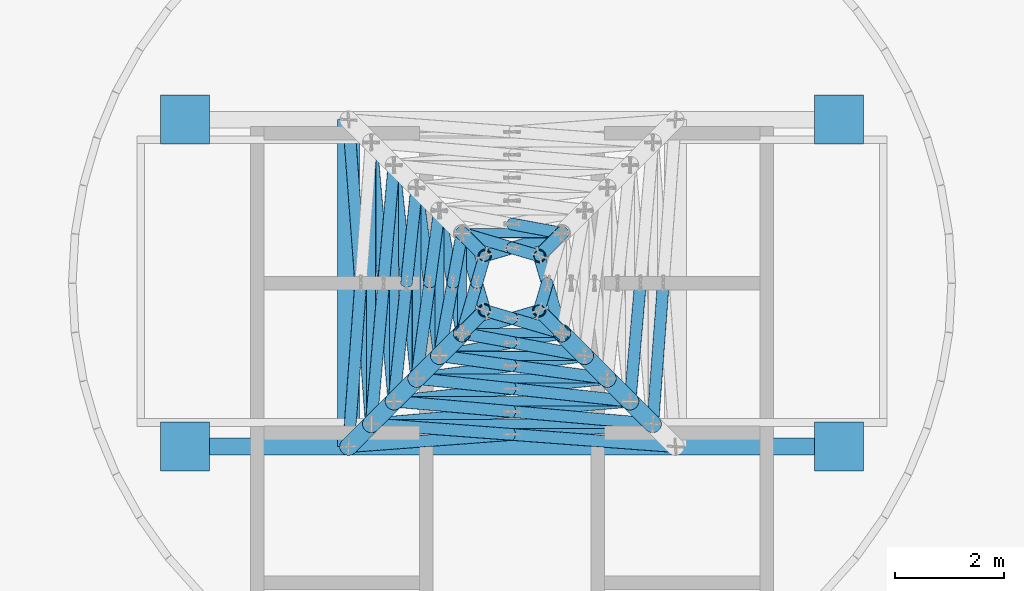
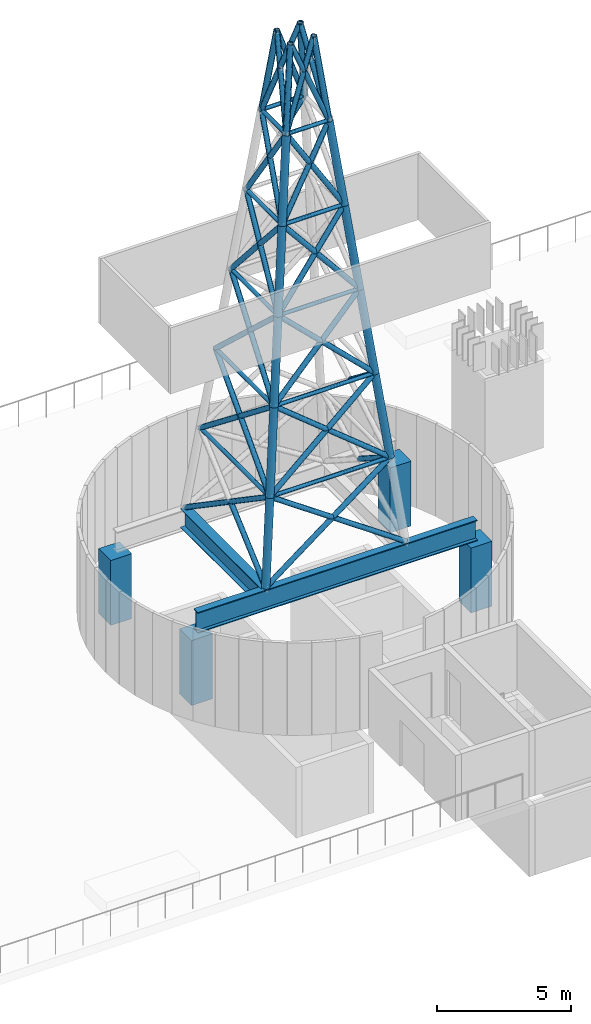
# One storey, part 1 of 8: 67 members, 4 columns, 2 beams.
"""IFC4 building model written with IfcOpenShell, lengths in metres."""

from ifc_helpers import new_model, si_unit, direction, frame, origin, origin_2d, place, context, subcontext, project, spatial, rectangle, hollow_circle, i_section, extrude, material, material_profile, profile_set, type_object, element, save


model = new_model("IFC4")

# Units and contexts
model_context = context("Model", 3, precision=1e-05, world=origin(), true_north=direction((0.0, 1.0)))
body_context = subcontext(model_context, "Body", "Model", "MODEL_VIEW")
ifc_project = project(units=[si_unit("LENGTHUNIT", "METRE"), si_unit("AREAUNIT", "SQUARE_METRE"), si_unit("VOLUMEUNIT", "CUBIC_METRE"), si_unit("PLANEANGLEUNIT", "RADIAN"), si_unit("MASSUNIT", "GRAM", prefix="KILO")], contexts=[model_context])

# Site, building, storey
site_placement = place(None, origin())
site = spatial("IfcSite", under=ifc_project, at=site_placement, CompositionType="ELEMENT")
building_placement = place(site_placement, origin())
building = spatial("IfcBuilding", under=site, at=building_placement, Name="Mahtab Terrace Research Tower", CompositionType="ELEMENT")
storey_placement = place(building_placement, frame((0.0, 0.0, 289.699951171875)))
storey = spatial("IfcBuildingStorey", under=building, at=storey_placement, Name="L70", CompositionType="ELEMENT", Elevation=289.699951171875)

# Columns
ifc_material_1 = material(Name="Concrete C70/85", Category="concrete")
ifc_material_profile_1 = material_profile(ifc_material_1, rectangle(XDim=0.89990234375, YDim=0.89990234375, at=origin_2d()), Name="RC column 900x900")
ifc_profile_set_1 = profile_set([ifc_material_profile_1], Name="Concrete C70/85")
column_type = type_object("IfcColumnType", Name="RC column 900x900", PredefinedType="COLUMN", material=ifc_profile_set_1)
for number, where, z_axis, x_axis, name in (
    (1, (-6.0, 2.75, 0.010009765625), (0.0, 0.0, 1.0), (1.0, 0.0, 0.0), "Column RC-D1 L70"),
    (2, (6.0, 2.75, 0.010009765625), (0.0, 0.0, 1.0), (1.0, 0.0, 0.0), "Column RC-D2 L70"),
    (3, (-6.0, 8.75, 0.010009765625), (0.0, 0.0, 1.0), (1.0, 0.0, 0.0), "Column RC-D3 L70"),
    (4, (6.0, 8.75, 0.010009765625), (0.0, 0.0, 1.0), (1.0, 0.0, 0.0), "Column RC-D4 L70"),
):
    element("IfcColumn", number, at=place(storey_placement, frame(where, z_axis=z_axis, x_axis=x_axis)), inside=storey, type_object=column_type, Name=name, PredefinedType="COLUMN", context=body_context, shape_type="SweptSolid", body=[
        extrude(rectangle(XDim=0.89990234375, YDim=0.89990234375, at=origin_2d()), origin(), (0.0, 0.0, 1.0), 2.947998046875),
    ])

# Members
ifc_material_2 = material(Name="Steel ASTM A500 Gr C", Category="steel")
ifc_material_profile_2 = material_profile(ifc_material_2, hollow_circle(Radius=0.126953125, WallThickness=0.0126953125, at=origin_2d()), Name="HSS10.000X0.500")
ifc_profile_set_2 = profile_set([ifc_material_profile_2], Name="Steel ASTM A500 Gr C")
member_type_1 = type_object("IfcMemberType", Name="HSS 10.000x0.500 mast leg ML10", PredefinedType="CHORD", material=ifc_profile_set_2)
for number, where, z_axis, x_axis, name in (
    (5, (-0.916748046875, 4.833251953125, 22.4833984375), (0.110749066459, 0.110749066459, 0.987658487817), (-0.707106781187, 0.707106781187, 0.0), "Mast leg 1 panel 6"),
    (6, (0.916748046875, 4.833251953125, 22.4833984375), (-0.110749066459, 0.110749066459, 0.987658487817), (-0.707106781187, -0.707106781187, 0.0), "Mast leg 2 panel 6"),
    (7, (0.916748046875, 6.666748046875, 22.4833984375), (-0.110749066459, -0.110749066459, 0.987658487817), (0.707106781187, -0.707106781187, 0.0), "Mast leg 3 panel 6"),
    (8, (-0.916748046875, 6.666748046875, 22.4833984375), (0.110749066459, -0.110749066459, 0.987658487817), (0.707106781187, 0.707106781187, 0.0), "Mast leg 4 panel 6"),
):
    element("IfcMember", number, at=place(storey_placement, frame(where, z_axis=z_axis, x_axis=x_axis)), inside=storey, type_object=member_type_1, Name=name, PredefinedType="CHORD", context=body_context, shape_type="SweptSolid", body=[
        extrude(hollow_circle(Radius=0.126953125, WallThickness=0.0126953125, at=origin_2d()), origin(), (0.0, 0.0, 1.0), 3.762939453125),
    ])
ifc_material_profile_3 = material_profile(ifc_material_2, hollow_circle(Radius=0.161865234375, WallThickness=0.0126953125, at=origin_2d()), Name="HSS12.750X0.500")
ifc_profile_set_3 = profile_set([ifc_material_profile_3], Name="Steel ASTM A500 Gr C")
member_type_2 = type_object("IfcMemberType", Name="HSS 12.750x0.500 mast leg ML12", PredefinedType="CHORD", material=ifc_profile_set_3)
member_1_placement = place(storey_placement, frame((-3.0, 2.75, 3.900146484375), z_axis=(0.110749066459, 0.110749066459, 0.987658487817), x_axis=(-0.707106781187, 0.707106781187, 0.0)))
element("IfcMember", 9, at=member_1_placement, inside=storey, type_object=member_type_2, Name="Mast leg 1 panel 1", PredefinedType="CHORD", context=body_context, shape_type="SweptSolid", body=[
    extrude(hollow_circle(Radius=0.161865234375, WallThickness=0.0126953125, at=origin_2d()), origin(), (0.0, 0.0, 1.0), 3.762939453125),
])
for number, where, z_axis, x_axis, name in (
    (10, (-2.583251953125, 3.166748046875, 7.61669921875), (0.110678684922, 0.110678684922, 0.987674266855), (-0.707106781187, 0.707106781187, 0.0), "Mast leg 1 panel 2"),
    (11, (2.583251953125, 3.166748046875, 7.61669921875), (-0.110678684922, 0.110678684922, 0.987674266855), (-0.707106781187, -0.707106781187, 0.0), "Mast leg 2 panel 2"),
):
    element("IfcMember", number, at=place(storey_placement, frame(where, z_axis=z_axis, x_axis=x_axis)), inside=storey, type_object=member_type_2, Name=name, PredefinedType="CHORD", context=body_context, shape_type="SweptSolid", body=[
        extrude(hollow_circle(Radius=0.161865234375, WallThickness=0.0126953125, at=origin_2d()), origin(), (0.0, 0.0, 1.0), 3.76318359375),
    ])
for number, where, z_axis, x_axis, name in (
    (12, (-2.166748046875, 3.583251953125, 11.33349609375), (0.110749066459, 0.110749066459, 0.987658487817), (-0.707106781187, 0.707106781187, 0.0), "Mast leg 1 panel 3"),
    (13, (2.166748046875, 3.583251953125, 11.33349609375), (-0.110749066459, 0.110749066459, 0.987658487817), (-0.707106781187, -0.707106781187, 0.0), "Mast leg 2 panel 3"),
    (14, (-1.75, 4.0, 15.050048828125), (0.110749066459, 0.110749066459, 0.987658487817), (-0.707106781187, 0.707106781187, 0.0), "Mast leg 1 panel 4"),
    (15, (1.75, 4.0, 15.050048828125), (-0.110749066459, 0.110749066459, 0.987658487817), (-0.707106781187, -0.707106781187, 0.0), "Mast leg 2 panel 4"),
):
    element("IfcMember", number, at=place(storey_placement, frame(where, z_axis=z_axis, x_axis=x_axis)), inside=storey, type_object=member_type_2, Name=name, PredefinedType="CHORD", context=body_context, shape_type="SweptSolid", body=[
        extrude(hollow_circle(Radius=0.161865234375, WallThickness=0.0126953125, at=origin_2d()), origin(), (0.0, 0.0, 1.0), 3.762939453125),
    ])
for number, where, z_axis, x_axis, name in (
    (16, (-1.333251953125, 4.416748046875, 18.7666015625), (0.110678684922, 0.110678684922, 0.987674266855), (-0.707106781187, 0.707106781187, 0.0), "Mast leg 1 panel 5"),
    (17, (1.333251953125, 4.416748046875, 18.7666015625), (-0.110678684922, 0.110678684922, 0.987674266855), (-0.707106781187, -0.707106781187, 0.0), "Mast leg 2 panel 5"),
):
    element("IfcMember", number, at=place(storey_placement, frame(where, z_axis=z_axis, x_axis=x_axis)), inside=storey, type_object=member_type_2, Name=name, PredefinedType="CHORD", context=body_context, shape_type="SweptSolid", body=[
        extrude(hollow_circle(Radius=0.161865234375, WallThickness=0.0126953125, at=origin_2d()), origin(), (0.0, 0.0, 1.0), 3.76318359375),
    ])
ifc_material_profile_4 = material_profile(ifc_material_2, hollow_circle(Radius=0.084228515625, WallThickness=0.007080078125, at=origin_2d()), Name="HSS6.625X0.280")
ifc_profile_set_4 = profile_set([ifc_material_profile_4], Name="Steel ASTM A500 Gr C")
member_type_3 = type_object("IfcMemberType", Name="HSS 6.625x0.280 mast ring MR66", PredefinedType="STRUT", material=ifc_profile_set_4)
for number, where, z_axis, x_axis, name in (
    (18, (-2.583251953125, 3.166748046875, 7.61669921875), (1.0, 0.0, 0.0), (0.0, 1.0, 0.0), "Mast ring 1 panel 1"),
    (19, (-2.583251953125, 8.333251953125, 7.61669921875), (0.0, -1.0, 0.0), (1.0, 0.0, 0.0), "Mast ring 4 panel 1"),
):
    element("IfcMember", number, at=place(storey_placement, frame(where, z_axis=z_axis, x_axis=x_axis)), inside=storey, type_object=member_type_3, Name=name, PredefinedType="STRUT", context=body_context, shape_type="SweptSolid", body=[
        extrude(hollow_circle(Radius=0.084228515625, WallThickness=0.007080078125, at=origin_2d()), origin(), (0.0, 0.0, 1.0), 5.16650390625),
    ])
for number, where, z_axis, x_axis, name in (
    (20, (-2.166748046875, 3.583251953125, 11.33349609375), (1.0, 0.0, 0.0), (0.0, 1.0, 0.0), "Mast ring 1 panel 2"),
    (21, (-2.166748046875, 7.916748046875, 11.33349609375), (0.0, -1.0, 0.0), (1.0, 0.0, 0.0), "Mast ring 4 panel 2"),
):
    element("IfcMember", number, at=place(storey_placement, frame(where, z_axis=z_axis, x_axis=x_axis)), inside=storey, type_object=member_type_3, Name=name, PredefinedType="STRUT", context=body_context, shape_type="SweptSolid", body=[
        extrude(hollow_circle(Radius=0.084228515625, WallThickness=0.007080078125, at=origin_2d()), origin(), (0.0, 0.0, 1.0), 4.33349609375),
    ])
for number, where, z_axis, x_axis, name in (
    (22, (-1.75, 4.0, 15.050048828125), (1.0, 0.0, 0.0), (0.0, 1.0, 0.0), "Mast ring 1 panel 3"),
    (23, (-1.75, 7.5, 15.050048828125), (0.0, -1.0, 0.0), (1.0, 0.0, 0.0), "Mast ring 4 panel 3"),
):
    element("IfcMember", number, at=place(storey_placement, frame(where, z_axis=z_axis, x_axis=x_axis)), inside=storey, type_object=member_type_3, Name=name, PredefinedType="STRUT", context=body_context, shape_type="SweptSolid", body=[
        extrude(hollow_circle(Radius=0.084228515625, WallThickness=0.007080078125, at=origin_2d()), origin(), (0.0, 0.0, 1.0), 3.5),
    ])
for number, where, z_axis, x_axis, name in (
    (24, (-1.333251953125, 4.416748046875, 18.7666015625), (1.0, 0.0, 0.0), (0.0, 1.0, 0.0), "Mast ring 1 panel 4"),
    (25, (-1.333251953125, 7.083251953125, 18.7666015625), (0.0, -1.0, 0.0), (1.0, 0.0, 0.0), "Mast ring 4 panel 4"),
):
    element("IfcMember", number, at=place(storey_placement, frame(where, z_axis=z_axis, x_axis=x_axis)), inside=storey, type_object=member_type_3, Name=name, PredefinedType="STRUT", context=body_context, shape_type="SweptSolid", body=[
        extrude(hollow_circle(Radius=0.084228515625, WallThickness=0.007080078125, at=origin_2d()), origin(), (0.0, 0.0, 1.0), 2.66650390625),
    ])
for number, where, z_axis, x_axis, name in (
    (26, (-0.916748046875, 4.833251953125, 22.4833984375), (1.0, 0.0, 0.0), (0.0, 1.0, 0.0), "Mast ring 1 panel 5"),
    (27, (0.916748046875, 6.666748046875, 22.4833984375), (-1.0, 0.0, 0.0), (0.0, -1.0, 0.0), "Mast ring 3 panel 5"),
    (28, (-0.916748046875, 6.666748046875, 22.4833984375), (0.0, -1.0, 0.0), (1.0, 0.0, 0.0), "Mast ring 4 panel 5"),
):
    element("IfcMember", number, at=place(storey_placement, frame(where, z_axis=z_axis, x_axis=x_axis)), inside=storey, type_object=member_type_3, Name=name, PredefinedType="STRUT", context=body_context, shape_type="SweptSolid", body=[
        extrude(hollow_circle(Radius=0.084228515625, WallThickness=0.007080078125, at=origin_2d()), origin(), (0.0, 0.0, 1.0), 1.83349609375),
    ])
ifc_material_profile_5 = material_profile(ifc_material_2, hollow_circle(Radius=0.109619140625, WallThickness=0.0126953125, at=origin_2d()), Name="HSS8.625X0.500")
ifc_profile_set_5 = profile_set([ifc_material_profile_5], Name="Steel ASTM A500 Gr C")
member_type_4 = type_object("IfcMemberType", Name="HSS 8.625x0.500 mast brace MB86", PredefinedType="BRACE", material=ifc_profile_set_5)
member_2_placement = place(storey_placement, frame((-3.0, 2.75, 3.900146484375), z_axis=(0.830834206232, 0.062015566489, 0.553053877365), x_axis=(-0.074435458367, 0.997225833268, 0.0)))
element("IfcMember", 29, at=member_2_placement, inside=storey, type_object=member_type_4, Name="Mast brace 1 panel 1", PredefinedType="BRACE", context=body_context, shape_type="SweptSolid", body=[
    extrude(hollow_circle(Radius=0.109619140625, WallThickness=0.0126953125, at=origin_2d()), origin(), (0.0, 0.0, 1.0), 6.719970703125),
])
member_3_placement = place(storey_placement, frame((3.0, 2.75, 3.900146484375), z_axis=(-0.830854862311, 0.062003085021, 0.553024244697), x_axis=(-0.074418720268, -0.997227082501, 0.0)))
element("IfcMember", 30, at=member_3_placement, inside=storey, type_object=member_type_4, Name="Mast brace 1 panel 1 b1", PredefinedType="BRACE", context=body_context, shape_type="SweptSolid", body=[
    extrude(hollow_circle(Radius=0.109619140625, WallThickness=0.0126953125, at=origin_2d()), origin(), (0.0, 0.0, 1.0), 3.61083984375),
])
for number, where, z_axis, x_axis, name in (
    (31, (0.0, 2.973876953125, 5.89697265625), (-0.830810217537, 0.062030060661, 0.553088287717), (-0.074454896692, -0.997224382152, 0.0), "Mast brace 1 panel 1 b2"),
    (32, (2.776123046875, 5.75, 5.89697265625), (-0.062030060661, -0.830810217537, 0.553088287717), (0.997224382152, -0.074454896692, 0.0), "Mast brace 2 panel 1 b2"),
):
    element("IfcMember", number, at=place(storey_placement, frame(where, z_axis=z_axis, x_axis=x_axis)), inside=storey, type_object=member_type_4, Name=name, PredefinedType="BRACE", context=body_context, shape_type="SweptSolid", body=[
        extrude(hollow_circle(Radius=0.109619140625, WallThickness=0.0126953125, at=origin_2d()), origin(), (0.0, 0.0, 1.0), 3.109375),
    ])
member_4_placement = place(storey_placement, frame((-3.0, 8.75, 3.900146484375), z_axis=(0.062015566489, -0.830834206232, 0.553053877365), x_axis=(0.997225833268, 0.074435458367, 0.0)))
element("IfcMember", 33, at=member_4_placement, inside=storey, type_object=member_type_4, Name="Mast brace 4 panel 1", PredefinedType="BRACE", context=body_context, shape_type="SweptSolid", body=[
    extrude(hollow_circle(Radius=0.109619140625, WallThickness=0.0126953125, at=origin_2d()), origin(), (0.0, 0.0, 1.0), 6.719970703125),
])
member_5_placement = place(storey_placement, frame((-3.0, 2.75, 3.900146484375), z_axis=(0.062003085021, 0.830854862311, 0.553024244697), x_axis=(-0.997227082501, 0.074418720268, 0.0)))
element("IfcMember", 34, at=member_5_placement, inside=storey, type_object=member_type_4, Name="Mast brace 4 panel 1 b1", PredefinedType="BRACE", context=body_context, shape_type="SweptSolid", body=[
    extrude(hollow_circle(Radius=0.109619140625, WallThickness=0.0126953125, at=origin_2d()), origin(), (0.0, 0.0, 1.0), 3.61083984375),
])
member_6_placement = place(storey_placement, frame((-2.583251953125, 3.166748046875, 7.61669921875), z_axis=(0.78568167621, 0.068892523623, 0.614782989238), x_axis=(-0.087349873933, 0.996177694753, 0.0)))
element("IfcMember", 35, at=member_6_placement, inside=storey, type_object=member_type_4, Name="Mast brace 1 panel 2", PredefinedType="BRACE", context=body_context, shape_type="SweptSolid", body=[
    extrude(hollow_circle(Radius=0.109619140625, WallThickness=0.0126953125, at=origin_2d()), origin(), (0.0, 0.0, 1.0), 6.045654296875),
])
member_7_placement = place(storey_placement, frame((2.583251953125, 3.166748046875, 7.61669921875), z_axis=(-0.785697297239, 0.068909090997, 0.614761168495), x_axis=(-0.087368995802, -0.996176017867, 0.0)))
element("IfcMember", 36, at=member_7_placement, inside=storey, type_object=member_type_4, Name="Mast brace 1 panel 2 b1", PredefinedType="BRACE", context=body_context, shape_type="SweptSolid", body=[
    extrude(hollow_circle(Radius=0.109619140625, WallThickness=0.0126953125, at=origin_2d()), origin(), (0.0, 0.0, 1.0), 3.287841796875),
])
for number, where, z_axis, x_axis, name in (
    (37, (0.0, 3.393310546875, 9.637939453125), (-0.785663052213, 0.068872772352, 0.614809002549), (-0.087327076231, -0.996179693508, 0.0), "Mast brace 1 panel 2 b2"),
    (38, (2.356689453125, 5.75, 9.637939453125), (-0.068872772352, -0.785663052213, 0.614809002549), (0.996179693508, -0.087327076231, 0.0), "Mast brace 2 panel 2 b2"),
):
    element("IfcMember", number, at=place(storey_placement, frame(where, z_axis=z_axis, x_axis=x_axis)), inside=storey, type_object=member_type_4, Name=name, PredefinedType="BRACE", context=body_context, shape_type="SweptSolid", body=[
        extrude(hollow_circle(Radius=0.109619140625, WallThickness=0.0126953125, at=origin_2d()), origin(), (0.0, 0.0, 1.0), 2.7578125),
    ])
member_8_placement = place(storey_placement, frame((-2.583251953125, 8.333251953125, 7.61669921875), z_axis=(0.068892523623, -0.78568167621, 0.614782989238), x_axis=(0.996177694753, 0.087349873933, 0.0)))
element("IfcMember", 39, at=member_8_placement, inside=storey, type_object=member_type_4, Name="Mast brace 4 panel 2", PredefinedType="BRACE", context=body_context, shape_type="SweptSolid", body=[
    extrude(hollow_circle(Radius=0.109619140625, WallThickness=0.0126953125, at=origin_2d()), origin(), (0.0, 0.0, 1.0), 6.045654296875),
])
member_9_placement = place(storey_placement, frame((-2.583251953125, 3.166748046875, 7.61669921875), z_axis=(0.068909090997, 0.785697297239, 0.614761168495), x_axis=(-0.996176017867, 0.087368995802, 0.0)))
element("IfcMember", 40, at=member_9_placement, inside=storey, type_object=member_type_4, Name="Mast brace 4 panel 2 b1", PredefinedType="BRACE", context=body_context, shape_type="SweptSolid", body=[
    extrude(hollow_circle(Radius=0.109619140625, WallThickness=0.0126953125, at=origin_2d()), origin(), (0.0, 0.0, 1.0), 3.287841796875),
])
member_10_placement = place(storey_placement, frame((-2.356689453125, 5.75, 9.637939453125), z_axis=(0.068872772352, 0.785663052213, 0.614809002549), x_axis=(-0.996179693508, 0.087327076231, 0.0)))
element("IfcMember", 41, at=member_10_placement, inside=storey, type_object=member_type_4, Name="Mast brace 4 panel 2 b2", PredefinedType="BRACE", context=body_context, shape_type="SweptSolid", body=[
    extrude(hollow_circle(Radius=0.109619140625, WallThickness=0.0126953125, at=origin_2d()), origin(), (0.0, 0.0, 1.0), 2.7578125),
])
member_11_placement = place(storey_placement, frame((-2.166748046875, 3.583251953125, 11.33349609375), z_axis=(0.723251198615, 0.076955045567, 0.686283924236), x_axis=(-0.105804310867, 0.994386970853, 0.0)))
element("IfcMember", 42, at=member_11_placement, inside=storey, type_object=member_type_4, Name="Mast brace 1 panel 3", PredefinedType="BRACE", context=body_context, shape_type="SweptSolid", body=[
    extrude(hollow_circle(Radius=0.109619140625, WallThickness=0.0126953125, at=origin_2d()), origin(), (0.0, 0.0, 1.0), 5.41552734375),
])
member_12_placement = place(storey_placement, frame((2.166748046875, 3.583251953125, 11.33349609375), z_axis=(-0.723267804955, 0.076931245958, 0.686269091327), x_axis=(-0.105769553915, -0.994390668432, 0.0)))
element("IfcMember", 43, at=member_12_placement, inside=storey, type_object=member_type_4, Name="Mast brace 1 panel 3 b1", PredefinedType="BRACE", context=body_context, shape_type="SweptSolid", body=[
    extrude(hollow_circle(Radius=0.109619140625, WallThickness=0.0126953125, at=origin_2d()), origin(), (0.0, 0.0, 1.0), 2.995849609375),
])
member_13_placement = place(storey_placement, frame((0.0, 3.813720703125, 13.389404296875), z_axis=(-0.723230637604, 0.076984511229, 0.686302287525), x_axis=(-0.105847344363, -0.994382391081, 0.0)))
element("IfcMember", 44, at=member_13_placement, inside=storey, type_object=member_type_4, Name="Mast brace 1 panel 3 b2", PredefinedType="BRACE", context=body_context, shape_type="SweptSolid", body=[
    extrude(hollow_circle(Radius=0.109619140625, WallThickness=0.0126953125, at=origin_2d()), origin(), (0.0, 0.0, 1.0), 2.419677734375),
])
member_14_placement = place(storey_placement, frame((-2.166748046875, 7.916748046875, 11.33349609375), z_axis=(0.076955045567, -0.723251198615, 0.686283924236), x_axis=(0.994386970853, 0.105804310867, 0.0)))
element("IfcMember", 45, at=member_14_placement, inside=storey, type_object=member_type_4, Name="Mast brace 4 panel 3", PredefinedType="BRACE", context=body_context, shape_type="SweptSolid", body=[
    extrude(hollow_circle(Radius=0.109619140625, WallThickness=0.0126953125, at=origin_2d()), origin(), (0.0, 0.0, 1.0), 5.41552734375),
])
member_15_placement = place(storey_placement, frame((-2.166748046875, 3.583251953125, 11.33349609375), z_axis=(0.076931245958, 0.723267804955, 0.686269091327), x_axis=(-0.994390668432, 0.105769553915, 0.0)))
element("IfcMember", 46, at=member_15_placement, inside=storey, type_object=member_type_4, Name="Mast brace 4 panel 3 b1", PredefinedType="BRACE", context=body_context, shape_type="SweptSolid", body=[
    extrude(hollow_circle(Radius=0.109619140625, WallThickness=0.0126953125, at=origin_2d()), origin(), (0.0, 0.0, 1.0), 2.995849609375),
])
member_16_placement = place(storey_placement, frame((-1.936279296875, 5.75, 13.389404296875), z_axis=(0.076984511229, 0.723230637604, 0.686302287525), x_axis=(-0.994382391081, 0.105847344363, 0.0)))
element("IfcMember", 47, at=member_16_placement, inside=storey, type_object=member_type_4, Name="Mast brace 4 panel 3 b2", PredefinedType="BRACE", context=body_context, shape_type="SweptSolid", body=[
    extrude(hollow_circle(Radius=0.109619140625, WallThickness=0.0126953125, at=origin_2d()), origin(), (0.0, 0.0, 1.0), 2.419677734375),
])
member_17_placement = place(storey_placement, frame((-1.75, 4.0, 15.050048828125), z_axis=(0.636122609428, 0.085981573703, 0.766782364663), x_axis=(-0.133947054541, 0.99098848963, 0.0)))
element("IfcMember", 48, at=member_17_placement, inside=storey, type_object=member_type_4, Name="Mast brace 1 panel 4", PredefinedType="BRACE", context=body_context, shape_type="SweptSolid", body=[
    extrude(hollow_circle(Radius=0.109619140625, WallThickness=0.0126953125, at=origin_2d()), origin(), (0.0, 0.0, 1.0), 4.846923828125),
])
member_18_placement = place(storey_placement, frame((1.75, 4.0, 15.050048828125), z_axis=(-0.636092041814, 0.08598956313, 0.766806826635), x_axis=(-0.133965599519, -0.99098598282, 0.0)))
element("IfcMember", 49, at=member_18_placement, inside=storey, type_object=member_type_4, Name="Mast brace 1 panel 4 b1", PredefinedType="BRACE", context=body_context, shape_type="SweptSolid", body=[
    extrude(hollow_circle(Radius=0.109619140625, WallThickness=0.0126953125, at=origin_2d()), origin(), (0.0, 0.0, 1.0), 2.751220703125),
])
member_19_placement = place(storey_placement, frame((0.0, 4.236572265625, 17.15966796875), z_axis=(-0.636162734788, 0.085971085566, 0.766750250938), x_axis=(-0.133922712558, -0.990991779512, 0.0)))
element("IfcMember", 50, at=member_19_placement, inside=storey, type_object=member_type_4, Name="Mast brace 1 panel 4 b2", PredefinedType="BRACE", context=body_context, shape_type="SweptSolid", body=[
    extrude(hollow_circle(Radius=0.109619140625, WallThickness=0.0126953125, at=origin_2d()), origin(), (0.0, 0.0, 1.0), 2.095703125),
])
member_20_placement = place(storey_placement, frame((-1.75, 7.5, 15.050048828125), z_axis=(0.085981573703, -0.636122609428, 0.766782364663), x_axis=(0.99098848963, 0.133947054541, 0.0)))
element("IfcMember", 51, at=member_20_placement, inside=storey, type_object=member_type_4, Name="Mast brace 4 panel 4", PredefinedType="BRACE", context=body_context, shape_type="SweptSolid", body=[
    extrude(hollow_circle(Radius=0.109619140625, WallThickness=0.0126953125, at=origin_2d()), origin(), (0.0, 0.0, 1.0), 4.846923828125),
])
member_21_placement = place(storey_placement, frame((-1.75, 4.0, 15.050048828125), z_axis=(0.08598956313, 0.636092041814, 0.766806826635), x_axis=(-0.99098598282, 0.133965599519, 0.0)))
element("IfcMember", 52, at=member_21_placement, inside=storey, type_object=member_type_4, Name="Mast brace 4 panel 4 b1", PredefinedType="BRACE", context=body_context, shape_type="SweptSolid", body=[
    extrude(hollow_circle(Radius=0.109619140625, WallThickness=0.0126953125, at=origin_2d()), origin(), (0.0, 0.0, 1.0), 2.751220703125),
])
member_22_placement = place(storey_placement, frame((-1.513427734375, 5.75, 17.15966796875), z_axis=(0.085971085566, 0.636162734788, 0.766750250938), x_axis=(-0.990991779512, 0.133922712558, 0.0)))
element("IfcMember", 53, at=member_22_placement, inside=storey, type_object=member_type_4, Name="Mast brace 4 panel 4 b2", PredefinedType="BRACE", context=body_context, shape_type="SweptSolid", body=[
    extrude(hollow_circle(Radius=0.109619140625, WallThickness=0.0126953125, at=origin_2d()), origin(), (0.0, 0.0, 1.0), 2.095703125),
])
member_23_placement = place(storey_placement, frame((-1.333251953125, 4.416748046875, 18.7666015625), z_axis=(0.515500044846, 0.095425681045, 0.851559535887), x_axis=(-0.182020488605, 0.983294737974, 0.0)))
element("IfcMember", 54, at=member_23_placement, inside=storey, type_object=member_type_4, Name="Mast brace 1 panel 5", PredefinedType="BRACE", context=body_context, shape_type="SweptSolid", body=[
    extrude(hollow_circle(Radius=0.109619140625, WallThickness=0.0126953125, at=origin_2d()), origin(), (0.0, 0.0, 1.0), 4.36474609375),
])
member_24_placement = place(storey_placement, frame((1.333251953125, 4.416748046875, 18.7666015625), z_axis=(-0.515461423891, 0.09542785196, 0.851582671002), x_axis=(-0.182037678601, -0.98329155573, 0.0)))
element("IfcMember", 55, at=member_24_placement, inside=storey, type_object=member_type_4, Name="Mast brace 1 panel 5 b1", PredefinedType="BRACE", context=body_context, shape_type="SweptSolid", body=[
    extrude(hollow_circle(Radius=0.109619140625, WallThickness=0.0126953125, at=origin_2d()), origin(), (0.0, 0.0, 1.0), 2.58642578125),
])
for number, where, z_axis, x_axis, name in (
    (56, (0.0, 4.66357421875, 20.96923828125), (-0.515556220826, 0.095422522896, 0.851525880576), (-0.181995488422, -0.983299365501, 0.0), "Mast brace 1 panel 5 b2"),
    (57, (0.0, 6.83642578125, 20.96923828125), (0.515556220826, -0.095422522896, 0.851525880576), (0.181995488422, 0.983299365501, 0.0), "Mast brace 3 panel 5 b2"),
):
    element("IfcMember", number, at=place(storey_placement, frame(where, z_axis=z_axis, x_axis=x_axis)), inside=storey, type_object=member_type_4, Name=name, PredefinedType="BRACE", context=body_context, shape_type="SweptSolid", body=[
        extrude(hollow_circle(Radius=0.109619140625, WallThickness=0.0126953125, at=origin_2d()), origin(), (0.0, 0.0, 1.0), 1.778076171875),
    ])
member_25_placement = place(storey_placement, frame((-1.333251953125, 7.083251953125, 18.7666015625), z_axis=(0.095425681045, -0.515500044846, 0.851559535887), x_axis=(0.983294737974, 0.182020488605, 0.0)))
element("IfcMember", 58, at=member_25_placement, inside=storey, type_object=member_type_4, Name="Mast brace 4 panel 5", PredefinedType="BRACE", context=body_context, shape_type="SweptSolid", body=[
    extrude(hollow_circle(Radius=0.109619140625, WallThickness=0.0126953125, at=origin_2d()), origin(), (0.0, 0.0, 1.0), 4.36474609375),
])
member_26_placement = place(storey_placement, frame((-1.333251953125, 4.416748046875, 18.7666015625), z_axis=(0.09542785196, 0.515461423891, 0.851582671002), x_axis=(-0.98329155573, 0.182037678601, 0.0)))
element("IfcMember", 59, at=member_26_placement, inside=storey, type_object=member_type_4, Name="Mast brace 4 panel 5 b1", PredefinedType="BRACE", context=body_context, shape_type="SweptSolid", body=[
    extrude(hollow_circle(Radius=0.109619140625, WallThickness=0.0126953125, at=origin_2d()), origin(), (0.0, 0.0, 1.0), 2.58642578125),
])
member_27_placement = place(storey_placement, frame((-1.08642578125, 5.75, 20.96923828125), z_axis=(0.095422522896, 0.515556220826, 0.851525880576), x_axis=(-0.983299365501, 0.181995488422, 0.0)))
element("IfcMember", 60, at=member_27_placement, inside=storey, type_object=member_type_4, Name="Mast brace 4 panel 5 b2", PredefinedType="BRACE", context=body_context, shape_type="SweptSolid", body=[
    extrude(hollow_circle(Radius=0.109619140625, WallThickness=0.0126953125, at=origin_2d()), origin(), (0.0, 0.0, 1.0), 1.778076171875),
])
member_28_placement = place(storey_placement, frame((-0.916748046875, 4.833251953125, 22.4833984375), z_axis=(0.354257668922, 0.104207796114, 0.929323538515), x_axis=(-0.282202125691, 0.959354970934, 0.0)))
element("IfcMember", 61, at=member_28_placement, inside=storey, type_object=member_type_4, Name="Mast brace 1 panel 6", PredefinedType="BRACE", context=body_context, shape_type="SweptSolid", body=[
    extrude(hollow_circle(Radius=0.109619140625, WallThickness=0.0126953125, at=origin_2d()), origin(), (0.0, 0.0, 1.0), 3.999267578125),
])
member_29_placement = place(storey_placement, frame((0.916748046875, 4.833251953125, 22.4833984375), z_axis=(-0.354274700454, 0.104159592357, 0.929322449927), x_axis=(-0.282069493797, -0.959393975731, 0.0)))
element("IfcMember", 62, at=member_29_placement, inside=storey, type_object=member_type_4, Name="Mast brace 1 panel 6 b1", PredefinedType="BRACE", context=body_context, shape_type="SweptSolid", body=[
    extrude(hollow_circle(Radius=0.109619140625, WallThickness=0.0126953125, at=origin_2d()), origin(), (0.0, 0.0, 1.0), 2.587646484375),
])
member_30_placement = place(storey_placement, frame((0.0, 5.102783203125, 24.88818359375), z_axis=(-0.354226443523, 0.104296164768, 0.929325527856), x_axis=(-0.282445263719, -0.959283416412, 0.0)))
element("IfcMember", 63, at=member_30_placement, inside=storey, type_object=member_type_4, Name="Mast brace 1 panel 6 b2", PredefinedType="BRACE", context=body_context, shape_type="SweptSolid", body=[
    extrude(hollow_circle(Radius=0.109619140625, WallThickness=0.0126953125, at=origin_2d()), origin(), (0.0, 0.0, 1.0), 1.41162109375),
])
member_31_placement = place(storey_placement, frame((0.916748046875, 4.833251953125, 22.4833984375), z_axis=(-0.104207796114, 0.354257668922, 0.929323538515), x_axis=(-0.959354970934, -0.282202125691, 0.0)))
element("IfcMember", 64, at=member_31_placement, inside=storey, type_object=member_type_4, Name="Mast brace 2 panel 6", PredefinedType="BRACE", context=body_context, shape_type="SweptSolid", body=[
    extrude(hollow_circle(Radius=0.109619140625, WallThickness=0.0126953125, at=origin_2d()), origin(), (0.0, 0.0, 1.0), 3.999267578125),
])
member_32_placement = place(storey_placement, frame((0.647216796875, 5.75, 24.88818359375), z_axis=(-0.104296164768, -0.354226443523, 0.929325527856), x_axis=(0.959283416412, -0.282445263719, 0.0)))
element("IfcMember", 65, at=member_32_placement, inside=storey, type_object=member_type_4, Name="Mast brace 2 panel 6 b2", PredefinedType="BRACE", context=body_context, shape_type="SweptSolid", body=[
    extrude(hollow_circle(Radius=0.109619140625, WallThickness=0.0126953125, at=origin_2d()), origin(), (0.0, 0.0, 1.0), 1.41162109375),
])
member_33_placement = place(storey_placement, frame((0.916748046875, 6.666748046875, 22.4833984375), z_axis=(-0.354257668922, -0.104207796114, 0.929323538515), x_axis=(0.282202125691, -0.959354970934, 0.0)))
element("IfcMember", 66, at=member_33_placement, inside=storey, type_object=member_type_4, Name="Mast brace 3 panel 6", PredefinedType="BRACE", context=body_context, shape_type="SweptSolid", body=[
    extrude(hollow_circle(Radius=0.109619140625, WallThickness=0.0126953125, at=origin_2d()), origin(), (0.0, 0.0, 1.0), 3.999267578125),
])
member_34_placement = place(storey_placement, frame((-0.916748046875, 6.666748046875, 22.4833984375), z_axis=(0.354274700454, -0.104159592357, 0.929322449927), x_axis=(0.282069493797, 0.959393975731, 0.0)))
element("IfcMember", 67, at=member_34_placement, inside=storey, type_object=member_type_4, Name="Mast brace 3 panel 6 b1", PredefinedType="BRACE", context=body_context, shape_type="SweptSolid", body=[
    extrude(hollow_circle(Radius=0.109619140625, WallThickness=0.0126953125, at=origin_2d()), origin(), (0.0, 0.0, 1.0), 2.587646484375),
])
member_35_placement = place(storey_placement, frame((0.0, 6.397216796875, 24.88818359375), z_axis=(0.354226443523, -0.104296164768, 0.929325527856), x_axis=(0.282445263719, 0.959283416412, 0.0)))
element("IfcMember", 68, at=member_35_placement, inside=storey, type_object=member_type_4, Name="Mast brace 3 panel 6 b2", PredefinedType="BRACE", context=body_context, shape_type="SweptSolid", body=[
    extrude(hollow_circle(Radius=0.109619140625, WallThickness=0.0126953125, at=origin_2d()), origin(), (0.0, 0.0, 1.0), 1.41162109375),
])
member_36_placement = place(storey_placement, frame((-0.916748046875, 6.666748046875, 22.4833984375), z_axis=(0.104207796114, -0.354257668922, 0.929323538515), x_axis=(0.959354970934, 0.282202125691, 0.0)))
element("IfcMember", 69, at=member_36_placement, inside=storey, type_object=member_type_4, Name="Mast brace 4 panel 6", PredefinedType="BRACE", context=body_context, shape_type="SweptSolid", body=[
    extrude(hollow_circle(Radius=0.109619140625, WallThickness=0.0126953125, at=origin_2d()), origin(), (0.0, 0.0, 1.0), 3.999267578125),
])
member_37_placement = place(storey_placement, frame((-0.916748046875, 4.833251953125, 22.4833984375), z_axis=(0.104159592357, 0.354274700454, 0.929322449927), x_axis=(-0.959393975731, 0.282069493797, 0.0)))
element("IfcMember", 70, at=member_37_placement, inside=storey, type_object=member_type_4, Name="Mast brace 4 panel 6 b1", PredefinedType="BRACE", context=body_context, shape_type="SweptSolid", body=[
    extrude(hollow_circle(Radius=0.109619140625, WallThickness=0.0126953125, at=origin_2d()), origin(), (0.0, 0.0, 1.0), 2.587646484375),
])
member_38_placement = place(storey_placement, frame((-0.647216796875, 5.75, 24.88818359375), z_axis=(0.104296164768, 0.354226443523, 0.929325527856), x_axis=(-0.959283416412, 0.282445263719, 0.0)))
element("IfcMember", 71, at=member_38_placement, inside=storey, type_object=member_type_4, Name="Mast brace 4 panel 6 b2", PredefinedType="BRACE", context=body_context, shape_type="SweptSolid", body=[
    extrude(hollow_circle(Radius=0.109619140625, WallThickness=0.0126953125, at=origin_2d()), origin(), (0.0, 0.0, 1.0), 1.41162109375),
])

# Beams
ifc_material_3 = material(Name="Steel ASTM A992 Gr 50", Category="steel")
ifc_material_profile_6 = material_profile(ifc_material_3, i_section(OverallWidth=0.398681640625, OverallDepth=0.85595703125, WebThickness=0.018310546875, FlangeThickness=0.029296875, at=origin_2d()), Name="W33X201")
ifc_profile_set_6 = profile_set([ifc_material_profile_6], Name="Steel ASTM A992 Gr 50")
beam_type_1 = type_object("IfcBeamType", Name="W33x201 beam GR33", PredefinedType="BEAM", material=ifc_profile_set_6)
beam_1_placement = place(storey_placement, frame((-3.0, 2.75, 3.47216796875), z_axis=(0.0, 1.0, 0.0), x_axis=(-1.0, 0.0, 0.0)))
element("IfcBeam", 72, at=beam_1_placement, inside=storey, type_object=beam_type_1, Name="Mast grillage girder 3", PredefinedType="BEAM", context=body_context, shape_type="SweptSolid", body=[
    extrude(i_section(OverallWidth=0.398681640625, OverallDepth=0.85595703125, WebThickness=0.018310546875, FlangeThickness=0.029296875, at=origin_2d()), origin(), (0.0, 0.0, 1.0), 6.0),
])
ifc_material_profile_7 = material_profile(ifc_material_3, i_section(OverallWidth=0.307373046875, OverallDepth=0.9423828125, WebThickness=0.022216796875, FlangeThickness=0.039794921875, at=origin_2d()), Name="W36X232")
ifc_profile_set_7 = profile_set([ifc_material_profile_7], Name="Steel ASTM A992 Gr 50")
beam_type_2 = type_object("IfcBeamType", Name="W36x232 beam GR36", PredefinedType="BEAM", material=ifc_profile_set_7)
beam_2_placement = place(storey_placement, frame((-6.0, 2.75, 3.428955078125), z_axis=(1.0, 0.0, 0.0), x_axis=(0.0, 1.0, 0.0)))
element("IfcBeam", 73, at=beam_2_placement, inside=storey, type_object=beam_type_2, Name="Mast grillage girder 1", PredefinedType="BEAM", context=body_context, shape_type="SweptSolid", body=[
    extrude(i_section(OverallWidth=0.307373046875, OverallDepth=0.9423828125, WebThickness=0.022216796875, FlangeThickness=0.039794921875, at=origin_2d()), origin(), (0.0, 0.0, 1.0), 12.0),
])

save(model, "model.ifc")
